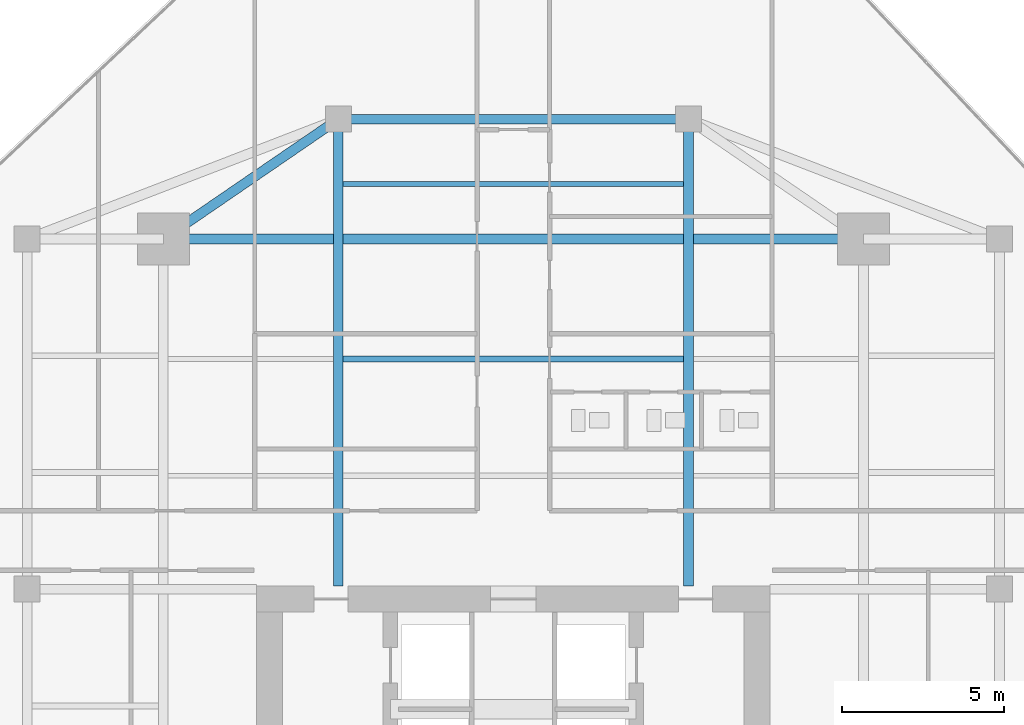
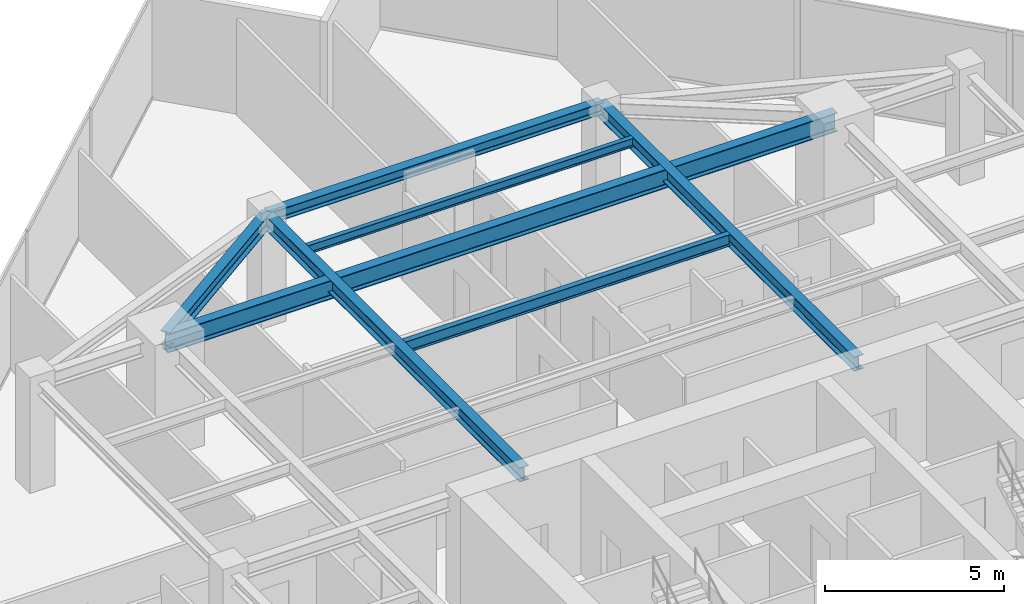
# One storey, part 15 of 24: 7 beams.
"""IFC4 building model written with IfcOpenShell, lengths in metres."""

from ifc_helpers import new_model, si_unit, direction, frame, origin, origin_2d, place, context, subcontext, project, spatial, i_section, extrude, source, transform, mapped, material, material_profile, profile_set, type_object, type_shapes, element, save


model = new_model("IFC4")

# Units and contexts
model_context = context("Model", 3, precision=1e-05, world=origin(), true_north=direction((0.0, 1.0)))
body_context = subcontext(model_context, "Body", "Model", "MODEL_VIEW")
ifc_project = project(units=[si_unit("LENGTHUNIT", "METRE"), si_unit("AREAUNIT", "SQUARE_METRE"), si_unit("VOLUMEUNIT", "CUBIC_METRE"), si_unit("PLANEANGLEUNIT", "RADIAN"), si_unit("MASSUNIT", "GRAM", prefix="KILO")], contexts=[model_context])

# Site, building, storey
site_placement = place(None, origin())
site = spatial("IfcSite", under=ifc_project, at=site_placement, CompositionType="ELEMENT")
building_placement = place(site_placement, origin())
building = spatial("IfcBuilding", under=site, at=building_placement, Name="Krantzveldt Concourse Tower", CompositionType="ELEMENT")
storey_placement = place(building_placement, frame((0.0, 0.0, 242.85009765625)))
storey = spatial("IfcBuildingStorey", under=building, at=storey_placement, Name="L59", CompositionType="ELEMENT", Elevation=242.85009765625)

# Beams
ifc_material = material(Name="Steel S355JR", Category="steel")
ifc_material_profile_1 = material_profile(ifc_material, i_section(OverallWidth=0.300048828125, OverallDepth=0.639892578125, WebThickness=0.013427734375, FlangeThickness=0.02587890625, FilletRadius=0.027099609375, at=origin_2d()), Name="Steel S355JR", Category="steel")
ifc_profile_set_1 = profile_set([ifc_material_profile_1], Name="Steel S355JR - HEA 650")
beam_type_1 = type_object("IfcBeamType", Name="BM-B-HEA650", PredefinedType="BEAM", material=ifc_profile_set_1)
shared_shape_1 = source(origin(), body_context, "Body", "SweptSolid", [
    extrude(i_section(OverallWidth=0.300048828125, OverallDepth=0.639892578125, WebThickness=0.013427734375, FlangeThickness=0.02587890625, FilletRadius=0.027099609375, at=origin_2d()), origin(), (0.0, 0.0, 1.0), 21.60009765625),
])
type_shapes(beam_type_1, [shared_shape_1])
beam_1_placement = place(storey_placement, frame((25.199951171875, 37.5, 3.349853515625), z_axis=(1.0, 0.0, 0.0), x_axis=(0.0, 1.0, 0.0)))
element("IfcBeam", 1, at=beam_1_placement, inside=storey, type_object=beam_type_1, Name="L59 Tower Girder BG-MN", PredefinedType="BEAM", context=body_context, shape_type="MappedRepresentation", body=[
    mapped(shared_shape_1, transform((0.0, 0.0, 0.0), x_axis=(1.0, 0.0, 0.0), y_axis=(0.0, 1.0, 0.0), z_axis=(0.0, 0.0, 1.0), scale=1.0)),
])
ifc_material_profile_2 = material_profile(ifc_material, i_section(OverallWidth=0.179931640625, OverallDepth=0.39990234375, WebThickness=0.008544921875, FlangeThickness=0.013427734375, FilletRadius=0.02099609375, at=origin_2d()), Name="Steel S355JR", Category="steel")
ifc_profile_set_2 = profile_set([ifc_material_profile_2], Name="Steel S355JR - IPE 400")
beam_type_2 = type_object("IfcBeamType", Name="BM-J-IPE400", PredefinedType="JOIST", material=ifc_profile_set_2)
shared_shape_2 = source(origin(), body_context, "Body", "SweptSolid", [
    extrude(i_section(OverallWidth=0.179931640625, OverallDepth=0.39990234375, WebThickness=0.008544921875, FlangeThickness=0.013427734375, FilletRadius=0.02099609375, at=origin_2d()), origin(), (0.0, 0.0, 1.0), 10.5),
])
type_shapes(beam_type_2, [shared_shape_2])
beam_2_placement = place(storey_placement, frame((30.75, 33.800048828125, 3.469970703125), z_axis=(1.0, 0.0, 0.0), x_axis=(0.0, 1.0, 0.0)))
element("IfcBeam", 2, at=beam_2_placement, inside=storey, type_object=beam_type_2, Name="L59 Secondary Floor Joist JN-C2", PredefinedType="JOIST", context=body_context, shape_type="MappedRepresentation", body=[
    mapped(shared_shape_2, transform((0.0, 0.0, 0.0), x_axis=(1.0, 0.0, 0.0), y_axis=(0.0, 1.0, 0.0), z_axis=(0.0, 0.0, 1.0), scale=1.0)),
])
ifc_material_profile_3 = material_profile(ifc_material, i_section(OverallWidth=0.300048828125, OverallDepth=0.389892578125, WebThickness=0.010986328125, FlangeThickness=0.01904296875, FilletRadius=0.027099609375, at=origin_2d()), Name="Steel S355JR", Category="steel")
ifc_profile_set_3 = profile_set([ifc_material_profile_3], Name="Steel S355JR - HEA 400")
beam_type_3 = type_object("IfcBeamType", Name="BM-SP-HEA400", PredefinedType="SPANDREL", material=ifc_profile_set_3)
shared_shape_3 = source(origin(), body_context, "Body", "SweptSolid", [
    extrude(i_section(OverallWidth=0.300048828125, OverallDepth=0.389892578125, WebThickness=0.010986328125, FlangeThickness=0.01904296875, FilletRadius=0.027099609375, at=origin_2d()), origin(), (0.0, 0.0, 1.0), 10.7998046875),
])
type_shapes(beam_type_3, [shared_shape_3])
beam_3_placement = place(storey_placement, frame((30.60009765625, 41.199951171875, 3.474853515625), z_axis=(1.0, 0.0, 0.0), x_axis=(0.0, 1.0, 0.0)))
element("IfcBeam", 3, at=beam_3_placement, inside=storey, type_object=beam_type_3, Name="L59 Tower Girder SP-R04", PredefinedType="SPANDREL", context=body_context, shape_type="MappedRepresentation", body=[
    mapped(shared_shape_3, transform((0.0, 0.0, 0.0), x_axis=(1.0, 0.0, 0.0), y_axis=(0.0, 1.0, 0.0), z_axis=(0.0, 0.0, 1.0), scale=1.0)),
])
ifc_material_profile_4 = material_profile(ifc_material, i_section(OverallWidth=0.300048828125, OverallDepth=0.489990234375, WebThickness=0.011962890625, FlangeThickness=0.02294921875, FilletRadius=0.027099609375, at=origin_2d()), Name="Steel S355JR", Category="steel")
ifc_profile_set_4 = profile_set([ifc_material_profile_4], Name="Steel S355JR - HEA 500")
beam_type_4 = type_object("IfcBeamType", Name="BM-B-HEA500", PredefinedType="BEAM", material=ifc_profile_set_4)
shared_shape_4 = source(origin(), body_context, "Body", "SweptSolid", [
    extrude(i_section(OverallWidth=0.300048828125, OverallDepth=0.489990234375, WebThickness=0.011962890625, FlangeThickness=0.02294921875, FilletRadius=0.027099609375, at=origin_2d()), origin(), (0.0, 0.0, 1.0), 14.39990234375),
])
for number, where, z_axis, x_axis, name in (
    (4, (30.60009765625, 26.800048828125, 3.4248046875), (0.0, 1.0, 0.0), (-1.0, 0.0, 0.0), "L59 Tower Girder BG-CNW"),
    (5, (41.39990234375, 26.800048828125, 3.4248046875), (0.0, 1.0, 0.0), (-1.0, 0.0, 0.0), "L59 Tower Girder BG-CNE"),
):
    element("IfcBeam", number, at=place(storey_placement, frame(where, z_axis=z_axis, x_axis=x_axis)), inside=storey, type_object=beam_type_4, Name=name, PredefinedType="BEAM", context=body_context, shape_type="MappedRepresentation", body=[
        mapped(shared_shape_4, transform((0.0, 0.0, 0.0), x_axis=(1.0, 0.0, 0.0), y_axis=(0.0, 1.0, 0.0), z_axis=(0.0, 0.0, 1.0), scale=1.0)),
    ])
shared_shape_5 = source(origin(), body_context, "Body", "SweptSolid", [
    extrude(i_section(OverallWidth=0.300048828125, OverallDepth=0.489990234375, WebThickness=0.011962890625, FlangeThickness=0.02294921875, FilletRadius=0.027099609375, at=origin_2d()), origin(), (0.0, 0.0, 1.0), 6.546142578125),
])
type_shapes(beam_type_4, [shared_shape_4, shared_shape_5])
beam_4_placement = place(storey_placement, frame((25.199951171875, 37.5, 3.4248046875), z_axis=(0.824942999484, 0.565215930068, 0.0), x_axis=(-0.565215930068, 0.824942999484, 0.0)))
element("IfcBeam", 6, at=beam_4_placement, inside=storey, type_object=beam_type_4, Name="L59 Tower Girder BR-RL4", PredefinedType="BEAM", context=body_context, shape_type="MappedRepresentation", body=[
    mapped(shared_shape_5, transform((0.0, 0.0, 0.0), x_axis=(1.0, 0.0, 0.0), y_axis=(0.0, 1.0, 0.0), z_axis=(0.0, 0.0, 1.0), scale=1.0)),
])
ifc_material_profile_5 = material_profile(ifc_material, i_section(OverallWidth=0.14990234375, OverallDepth=0.300048828125, WebThickness=0.007080078125, FlangeThickness=0.0107421875, FilletRadius=0.014892578125, at=origin_2d()), Name="Steel S355JR", Category="steel")
ifc_profile_set_5 = profile_set([ifc_material_profile_5], Name="Steel S355JR - IPE 300")
beam_type_5 = type_object("IfcBeamType", Name="BM-J-IPE300", PredefinedType="JOIST", material=ifc_profile_set_5)
shared_shape_6 = source(origin(), body_context, "Body", "SweptSolid", [
    extrude(i_section(OverallWidth=0.14990234375, OverallDepth=0.300048828125, WebThickness=0.007080078125, FlangeThickness=0.0107421875, FilletRadius=0.014892578125, at=origin_2d()), origin(), (0.0, 0.0, 1.0), 10.5),
])
type_shapes(beam_type_5, [shared_shape_6])
beam_5_placement = place(storey_placement, frame((30.75, 39.199951171875, 3.52001953125), z_axis=(1.0, 0.0, 0.0), x_axis=(0.0, 1.0, 0.0)))
element("IfcBeam", 7, at=beam_5_placement, inside=storey, type_object=beam_type_5, Name="L59 Secondary Floor Joist JN-C3", PredefinedType="JOIST", context=body_context, shape_type="MappedRepresentation", body=[
    mapped(shared_shape_6, transform((0.0, 0.0, 0.0), x_axis=(1.0, 0.0, 0.0), y_axis=(0.0, 1.0, 0.0), z_axis=(0.0, 0.0, 1.0), scale=1.0)),
])

save(model, "model.ifc")
